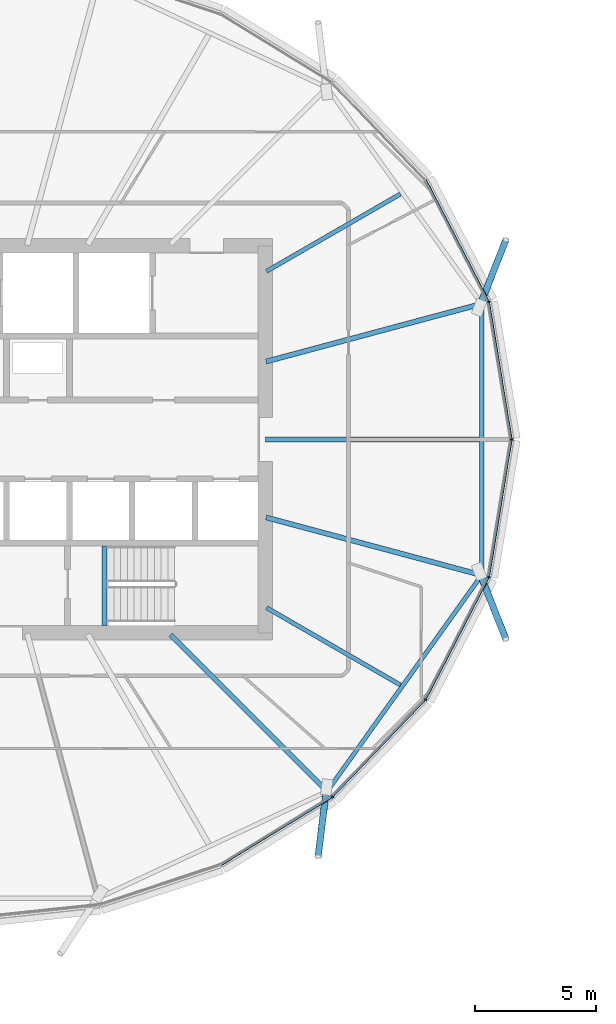
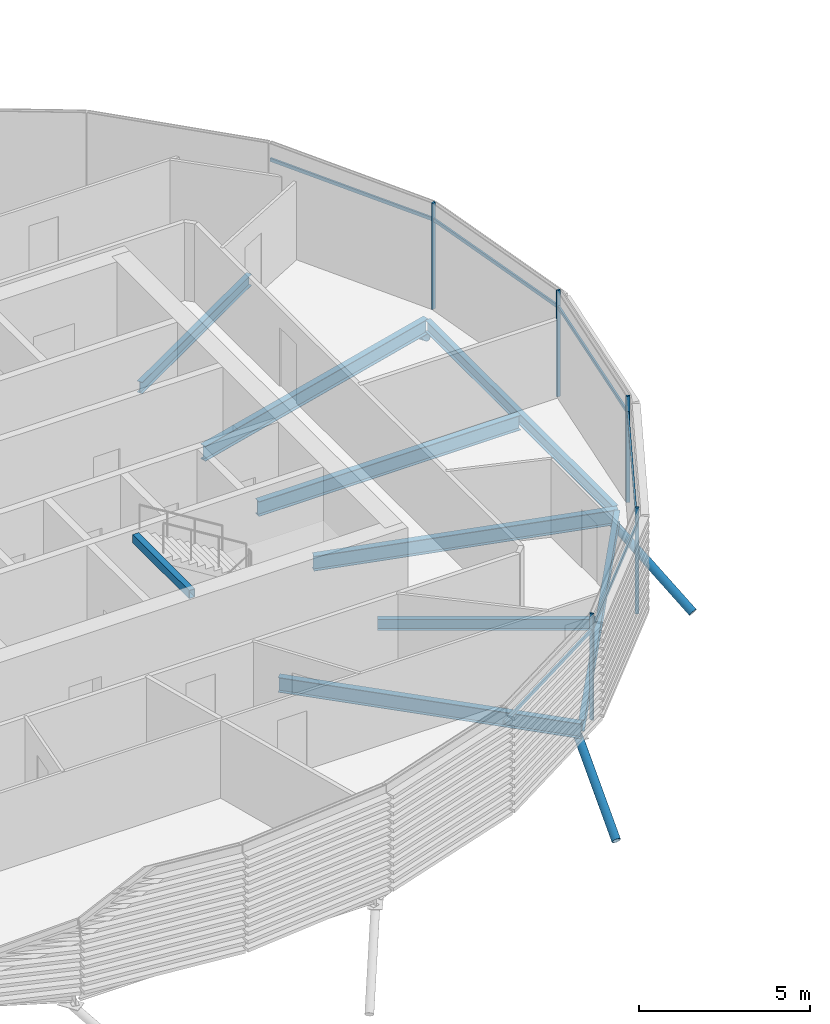
# One storey, part 6 of 37: 14 members, 9 beams, 1 element without a shape of its own.
"""IFC4 building model written with IfcOpenShell, lengths in metres."""

from ifc_helpers import new_model, si_unit, direction, frame, origin, origin_2d, place, context, subcontext, project, spatial, rectangle, hollow_rectangle, hollow_circle, i_section, extrude, clip, halfspace, material, material_profile, profile_set, type_object, element, aggregate, save


model = new_model("IFC4")

# Units and contexts
model_context = context("Model", 3, precision=1e-05, world=origin(), true_north=direction((0.0, 1.0)))
body_context = subcontext(model_context, "Body", "Model", "MODEL_VIEW")
ifc_project = project(units=[si_unit("LENGTHUNIT", "METRE"), si_unit("AREAUNIT", "SQUARE_METRE"), si_unit("VOLUMEUNIT", "CUBIC_METRE"), si_unit("PLANEANGLEUNIT", "RADIAN"), si_unit("MASSUNIT", "GRAM", prefix="KILO")], contexts=[model_context])

# Site, building, storey
site_placement = place(None, origin())
site = spatial("IfcSite", under=ifc_project, at=site_placement, CompositionType="ELEMENT")
building_placement = place(site_placement, origin())
building = spatial("IfcBuilding", under=site, at=building_placement, Name="Rimbun Link Towers", CompositionType="ELEMENT")
storey_placement = place(building_placement, frame((0.0, 0.0, 177.89990234375)))
storey = spatial("IfcBuildingStorey", under=building, at=storey_placement, Name="L43", CompositionType="ELEMENT", Elevation=177.89990234375)

# Curtain wall, members
ifc_material_1 = material(Name="Aluminium 6063-T6 and low-iron glass", Category="aluminium")
curtain_wall_type = type_object("IfcCurtainWallType", Name="CW1-Z3 unitised vision wall (zone 3)", PredefinedType="NOTDEFINED", material=ifc_material_1)
curtain_wall_placement = place(storey_placement, origin())
curtain_wall = element("IfcCurtainWall", 1, at=curtain_wall_placement, inside=storey, type_object=curtain_wall_type, Name="CW1 L43 T1", PredefinedType="NOTDEFINED")
ifc_material_2 = material(Name="Aluminium 6063-T6", Category="aluminium")
ifc_material_profile_1 = material_profile(ifc_material_2, rectangle(XDim=0.1201171875, YDim=0.06005859375, at=origin_2d()), Name="MULLION 60X120")
ifc_profile_set_1 = profile_set([ifc_material_profile_1], Name="Aluminium 6063-T6")
member_type_1 = type_object("IfcMemberType", Name="CW1 mullion 60X120", PredefinedType="MULLION", material=ifc_profile_set_1)
member_1_placement = place(storey_placement, frame((-10.508056640625, 5.6953125, 0.0), z_axis=(0.0, 0.0, 1.0), x_axis=(0.949161009973, 0.314791005505, 0.0)))
member_1 = element("IfcMember", 2, at=member_1_placement, type_object=member_type_1, Name="CW1 mullion", PredefinedType="MULLION", context=body_context, shape_type="SweptSolid", body=[
    extrude(rectangle(XDim=0.1201171875, YDim=0.06005859375, at=origin_2d()), origin(), (0.0, 0.0, 1.0), 3.800048828125),
])
member_2_placement = place(storey_placement, frame((-9.571533203125, 0.0, 0.0), z_axis=(0.0, 0.0, 1.0), x_axis=(1.0, 0.0, 0.0)))
member_2 = element("IfcMember", 3, at=member_2_placement, type_object=member_type_1, Name="CW1 mullion", PredefinedType="MULLION", context=body_context, shape_type="SweptSolid", body=[
    extrude(rectangle(XDim=0.1201171875, YDim=0.06005859375, at=origin_2d()), origin(), (0.0, 0.0, 1.0), 3.800048828125),
])
member_3_placement = place(storey_placement, frame((-16.98095703125, -14.778076171875, 0.0), z_axis=(0.0, 0.0, 1.0), x_axis=(0.627671105002, -0.778478634225, 0.0)))
member_3 = element("IfcMember", 4, at=member_3_placement, type_object=member_type_1, Name="CW1 mullion", PredefinedType="MULLION", context=body_context, shape_type="SweptSolid", body=[
    extrude(rectangle(XDim=0.1201171875, YDim=0.06005859375, at=origin_2d()), origin(), (0.0, 0.0, 1.0), 3.800048828125),
])
member_4_placement = place(storey_placement, frame((-13.127685546875, -10.75830078125, 0.0), z_axis=(0.0, 0.0, 1.0), x_axis=(0.813350034024, -0.581774631754, 0.0)))
member_4 = element("IfcMember", 5, at=member_4_placement, type_object=member_type_1, Name="CW1 mullion", PredefinedType="MULLION", context=body_context, shape_type="SweptSolid", body=[
    extrude(rectangle(XDim=0.1201171875, YDim=0.06005859375, at=origin_2d()), origin(), (0.0, 0.0, 1.0), 3.800048828125),
])
member_5_placement = place(storey_placement, frame((-10.508056640625, -5.6953125, 0.0), z_axis=(0.0, 0.0, 1.0), x_axis=(0.949161009973, -0.314791005505, 0.0)))
member_5 = element("IfcMember", 6, at=member_5_placement, type_object=member_type_1, Name="CW1 mullion", PredefinedType="MULLION", context=body_context, shape_type="SweptSolid", body=[
    extrude(rectangle(XDim=0.1201171875, YDim=0.06005859375, at=origin_2d()), origin(), (0.0, 0.0, 1.0), 3.800048828125),
])
ifc_material_3 = material(Name="Aluminium 6063-T6", Category="aluminium")
ifc_material_profile_2 = material_profile(ifc_material_3, rectangle(XDim=0.06005859375, YDim=0.1201171875, at=origin_2d()), Name="TRANSOM 60X120")
ifc_profile_set_2 = profile_set([ifc_material_profile_2], Name="Aluminium 6063-T6")
member_type_2 = type_object("IfcMemberType", Name="CW1 transom 60X120", PredefinedType="USERDEFINED", material=ifc_profile_set_2)
member_6_placement = place(storey_placement, frame((-10.502685546875, 5.65625, 3.2001953125), z_axis=(0.162242638683, -0.986750893688, 0.0), x_axis=(0.986750893688, 0.162242638683, 0.0)))
member_6 = element("IfcMember", 7, at=member_6_placement, type_object=member_type_2, Name="CW1 transom", ObjectType="TRANSOM", PredefinedType="USERDEFINED", context=body_context, shape_type="SweptSolid", body=[
    extrude(rectangle(XDim=0.06005859375, YDim=0.1201171875, at=origin_2d()), origin(), (0.0, 0.0, 1.0), 5.692626953125),
])
member_7_placement = place(storey_placement, frame((-13.111083984375, 10.723388671875, 3.2001953125), z_axis=(0.459571750769, -0.888140645335, 0.0), x_axis=(0.888140645335, 0.459571750769, 0.0)))
member_7 = element("IfcMember", 8, at=member_7_placement, type_object=member_type_2, Name="CW1 transom", ObjectType="TRANSOM", PredefinedType="USERDEFINED", context=body_context, shape_type="SweptSolid", body=[
    extrude(rectangle(XDim=0.06005859375, YDim=0.1201171875, at=origin_2d()), origin(), (0.0, 0.0, 1.0), 5.62255859375),
])
member_8_placement = place(storey_placement, frame((-17.013916015625, -14.79638671875, 3.2001953125), z_axis=(-0.852185905649, -0.523239125269, 0.0), x_axis=(0.523239125269, -0.852185905649, 0.0)))
member_8 = element("IfcMember", 9, at=member_8_placement, type_object=member_type_2, Name="CW1 transom", ObjectType="TRANSOM", PredefinedType="USERDEFINED", context=body_context, shape_type="SweptSolid", body=[
    extrude(rectangle(XDim=0.06005859375, YDim=0.1201171875, at=origin_2d()), origin(), (0.0, 0.0, 1.0), 5.334228515625),
])
member_9_placement = place(storey_placement, frame((-13.1552734375, -10.785400390625, 3.2001953125), z_axis=(-0.692057899001, -0.721841994089, 0.0), x_axis=(0.721841994089, -0.692057899001, 0.0)))
member_9 = element("IfcMember", 10, at=member_9_placement, type_object=member_type_2, Name="CW1 transom", ObjectType="TRANSOM", PredefinedType="USERDEFINED", context=body_context, shape_type="SweptSolid", body=[
    extrude(rectangle(XDim=0.06005859375, YDim=0.1201171875, at=origin_2d()), origin(), (0.0, 0.0, 1.0), 5.491943359375),
])
member_10_placement = place(storey_placement, frame((-10.527099609375, -5.729736328125, 3.2001953125), z_axis=(-0.459571750769, -0.888140645335, 0.0), x_axis=(0.888140645335, -0.459571750769, 0.0)))
member_10 = element("IfcMember", 11, at=member_10_placement, type_object=member_type_2, Name="CW1 transom", ObjectType="TRANSOM", PredefinedType="USERDEFINED", context=body_context, shape_type="SweptSolid", body=[
    extrude(rectangle(XDim=0.06005859375, YDim=0.1201171875, at=origin_2d()), origin(), (0.0, 0.0, 1.0), 5.62255859375),
])
member_11_placement = place(storey_placement, frame((-9.5791015625, -0.0390625, 3.2001953125), z_axis=(-0.162242638683, -0.986750893688, 0.0), x_axis=(0.986750893688, -0.162242638683, 0.0)))
member_11 = element("IfcMember", 12, at=member_11_placement, type_object=member_type_2, Name="CW1 transom", ObjectType="TRANSOM", PredefinedType="USERDEFINED", context=body_context, shape_type="SweptSolid", body=[
    extrude(rectangle(XDim=0.06005859375, YDim=0.1201171875, at=origin_2d()), origin(), (0.0, 0.0, 1.0), 5.692626953125),
])
aggregate(curtain_wall, [member_1, member_2, member_3, member_4, member_5, member_6, member_7, member_8, member_9, member_10, member_11])

# Members
ifc_material_4 = material(Name="Steel S355J2H", Category="steel")
ifc_material_profile_3 = material_profile(ifc_material_4, hollow_circle(Radius=0.136474609375, WallThickness=0.012451171875, at=origin_2d()), Name="CHS 273x12.5")
ifc_profile_set_3 = profile_set([ifc_material_profile_3], Name="Steel S355J2H")
member_type_3 = type_object("IfcMemberType", Name="Floor edge link CHS 273x12.5", PredefinedType="BRACE", material=ifc_profile_set_3)
member_12_placement = place(storey_placement, frame((-10.8603515625, 5.597412109375, -0.798095703125), z_axis=(0.310812345233, 0.783762743371, -0.537691034103), x_axis=(-0.929573888677, 0.368635844011, 0.0)))
element("IfcMember", 13, at=member_12_placement, inside=storey, type_object=member_type_3, Name="Floor edge link T1 L43 01", PredefinedType="BRACE", context=body_context, shape_type="Clipping", body=[
    clip(extrude(hollow_circle(Radius=0.136474609375, WallThickness=0.012451171875, at=origin_2d()), frame((0.0, 0.0, -0.44677734375)), (0.0, 0.0, 1.0), 3.85595703125), halfspace(frame((0.0, 0.0, -0.21044921875), z_axis=(0.0, 0.843141952369, -0.537691034103)), False)),
])
member_13_placement = place(storey_placement, frame((-17.23583984375, -14.51416015625, -0.797119140625), z_axis=(-0.102927779601, -0.828288449885, -0.550766843568), x_axis=(0.992367312341, -0.123317141537, 0.0)))
element("IfcMember", 14, at=member_13_placement, inside=storey, type_object=member_type_3, Name="Floor edge link T1 L43 21", PredefinedType="BRACE", context=body_context, shape_type="Clipping", body=[
    clip(extrude(hollow_circle(Radius=0.136474609375, WallThickness=0.012451171875, at=origin_2d()), frame((0.0, 0.0, -0.431884765625)), (0.0, 0.0, 1.0), 3.7431640625), halfspace(frame((0.0, 0.0, -0.20361328125), z_axis=(0.0, 0.834659142421, -0.550766843568)), False)),
])
member_14_placement = place(storey_placement, frame((-10.8603515625, -5.597412109375, -0.798095703125), z_axis=(0.310812345233, -0.783762743371, -0.537691034103), x_axis=(0.929573888677, 0.368635844011, 0.0)))
element("IfcMember", 15, at=member_14_placement, inside=storey, type_object=member_type_3, Name="Floor edge link T1 L43 23", PredefinedType="BRACE", context=body_context, shape_type="Clipping", body=[
    clip(extrude(hollow_circle(Radius=0.136474609375, WallThickness=0.012451171875, at=origin_2d()), frame((0.0, 0.0, -0.44677734375)), (0.0, 0.0, 1.0), 3.85595703125), halfspace(frame((0.0, 0.0, -0.21044921875), z_axis=(0.0, 0.843141952369, -0.537691034103)), False)),
])

# Beams
ifc_material_5 = material(Name="Steel S355J2", Category="steel")
ifc_material_profile_4 = material_profile(ifc_material_5, hollow_rectangle(XDim=0.199951171875, YDim=0.300048828125, WallThickness=0.011962890625, at=origin_2d()), Name="BOX 300x200x12")
ifc_profile_set_4 = profile_set([ifc_material_profile_4], Name="Steel S355J2")
beam_type_1 = type_object("IfcBeamType", Name="Stair trimmer beam BOX 300x200x12", PredefinedType="BEAM", material=ifc_profile_set_4)
beam_1_placement = place(storey_placement, frame((-26.39990234375, -7.699951171875, 3.5), z_axis=(0.0, 1.0, 0.0), x_axis=(-1.0, 0.0, 0.0)))
element("IfcBeam", 16, at=beam_1_placement, inside=storey, type_object=beam_type_1, Name="L43 ST2 stair beam 1", PredefinedType="BEAM", context=body_context, shape_type="SweptSolid", body=[
    extrude(hollow_rectangle(XDim=0.199951171875, YDim=0.300048828125, WallThickness=0.011962890625, at=origin_2d()), origin(), (0.0, 0.0, 1.0), 3.300048828125),
])
ifc_material_6 = material(Name="Steel S355J2", Category="steel")
ifc_material_profile_5 = material_profile(ifc_material_6, i_section(OverallWidth=0.177978515625, OverallDepth=0.406494140625, WebThickness=0.0078125, FlangeThickness=0.0126953125, at=origin_2d()), Name="UB 406x178x60")
ifc_profile_set_5 = profile_set([ifc_material_profile_5], Name="Steel S355J2")
beam_type_2 = type_object("IfcBeamType", Name="UB 406x178x60", PredefinedType="BEAM", material=ifc_profile_set_5)
for number, where, z_axis, x_axis, name in (
    (17, (-19.70458984375, 6.954345703125, -0.35302734375), (0.866020885633, 0.500007825586, 0.0), (-0.500007825586, 0.866020885633, 0.0), "Radial beam T1 L43 02"),
    (18, (-19.70458984375, -6.954345703125, -0.35302734375), (0.866020885633, -0.500007825586, 0.0), (0.500007825586, 0.866020885633, 0.0), "Radial beam T1 L43 22"),
):
    element("IfcBeam", number, at=place(storey_placement, frame(where, z_axis=z_axis, x_axis=x_axis)), inside=storey, type_object=beam_type_2, Name=name, PredefinedType="BEAM", context=body_context, shape_type="SweptSolid", body=[
        extrude(i_section(OverallWidth=0.177978515625, OverallDepth=0.406494140625, WebThickness=0.0078125, FlangeThickness=0.0126953125, at=origin_2d()), origin(), (0.0, 0.0, 1.0), 6.3935546875),
    ])
beam_2_placement = place(storey_placement, frame((-17.13818359375, -14.46240234375, -0.35302734375), z_axis=(0.581422632699, 0.813601697506, 0.0), x_axis=(-0.813601697506, 0.581422632699, 0.0)))
element("IfcBeam", 19, at=beam_2_placement, inside=storey, type_object=beam_type_2, Name="Edge beam T1 L43 21-23", PredefinedType="BEAM", context=body_context, shape_type="SweptSolid", body=[
    extrude(i_section(OverallWidth=0.177978515625, OverallDepth=0.406494140625, WebThickness=0.0078125, FlangeThickness=0.0126953125, at=origin_2d()), origin(), (0.0, 0.0, 1.0), 10.767578125),
])
beam_3_placement = place(storey_placement, frame((-10.81201171875, -5.5009765625, -0.35302734375), z_axis=(0.0, 1.0, 0.0), x_axis=(-1.0, 0.0, 0.0)))
element("IfcBeam", 20, at=beam_3_placement, inside=storey, type_object=beam_type_2, Name="Edge beam T1 L43 23-01", PredefinedType="BEAM", context=body_context, shape_type="SweptSolid", body=[
    extrude(i_section(OverallWidth=0.177978515625, OverallDepth=0.406494140625, WebThickness=0.0078125, FlangeThickness=0.0126953125, at=origin_2d()), origin(), (0.0, 0.0, 1.0), 11.001953125),
])
ifc_material_7 = material(Name="Steel S355J2", Category="steel")
ifc_material_profile_6 = material_profile(ifc_material_7, i_section(OverallWidth=0.209228515625, OverallDepth=0.533203125, WebThickness=0.010009765625, FlangeThickness=0.015625, at=origin_2d()), Name="UB 533x210x92")
ifc_profile_set_6 = profile_set([ifc_material_profile_6], Name="Steel S355J2")
beam_type_3 = type_object("IfcBeamType", Name="UB 533x210x92", PredefinedType="BEAM", material=ifc_profile_set_6)
beam_4_placement = place(storey_placement, frame((-19.7490234375, 0.0, -0.41650390625), z_axis=(1.0, 0.0, 0.0), x_axis=(0.0, 1.0, 0.0)))
element("IfcBeam", 21, at=beam_4_placement, inside=storey, type_object=beam_type_3, Name="Radial beam T1 L43 00", PredefinedType="BEAM", context=body_context, shape_type="SweptSolid", body=[
    extrude(i_section(OverallWidth=0.209228515625, OverallDepth=0.533203125, WebThickness=0.010009765625, FlangeThickness=0.015625, at=origin_2d()), origin(), (0.0, 0.0, 1.0), 8.846923828125),
])
beam_5_placement = place(storey_placement, frame((-19.721923828125, 3.222900390625, -0.41650390625), z_axis=(0.965924541142, 0.258823841289, 0.0), x_axis=(-0.258823841289, 0.965924541142, 0.0)))
element("IfcBeam", 22, at=beam_5_placement, inside=storey, type_object=beam_type_3, Name="Radial beam T1 L43 01", PredefinedType="BEAM", context=body_context, shape_type="SweptSolid", body=[
    extrude(i_section(OverallWidth=0.209228515625, OverallDepth=0.533203125, WebThickness=0.010009765625, FlangeThickness=0.015625, at=origin_2d()), origin(), (0.0, 0.0, 1.0), 9.22412109375),
])
beam_6_placement = place(storey_placement, frame((-23.67529296875, -8.07470703125, -0.41650390625), z_axis=(0.707106781187, -0.707106781187, 0.0), x_axis=(0.707106781187, 0.707106781187, 0.0)))
element("IfcBeam", 23, at=beam_6_placement, inside=storey, type_object=beam_type_3, Name="Radial beam T1 L43 21", PredefinedType="BEAM", context=body_context, shape_type="SweptSolid", body=[
    extrude(i_section(OverallWidth=0.209228515625, OverallDepth=0.533203125, WebThickness=0.010009765625, FlangeThickness=0.015625, at=origin_2d()), origin(), (0.0, 0.0, 1.0), 9.15673828125),
])
beam_7_placement = place(storey_placement, frame((-19.721923828125, -3.222900390625, -0.41650390625), z_axis=(0.965924541142, -0.258823841289, 0.0), x_axis=(0.258823841289, 0.965924541142, 0.0)))
element("IfcBeam", 24, at=beam_7_placement, inside=storey, type_object=beam_type_3, Name="Radial beam T1 L43 23", PredefinedType="BEAM", context=body_context, shape_type="SweptSolid", body=[
    extrude(i_section(OverallWidth=0.209228515625, OverallDepth=0.533203125, WebThickness=0.010009765625, FlangeThickness=0.015625, at=origin_2d()), origin(), (0.0, 0.0, 1.0), 9.22412109375),
])

save(model, "model.ifc")
